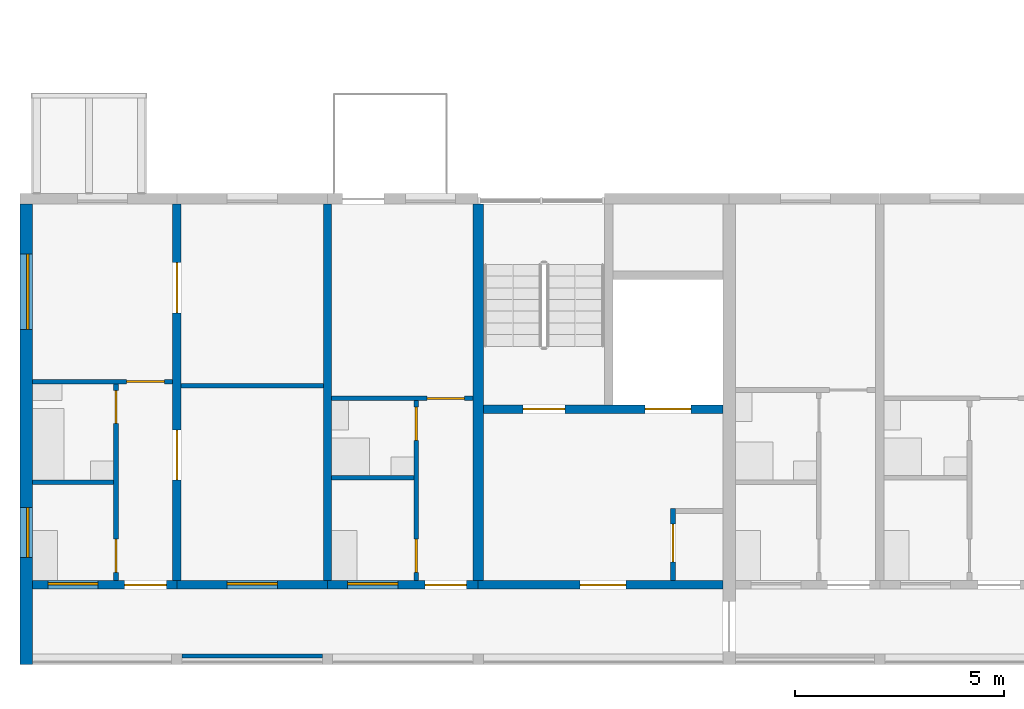
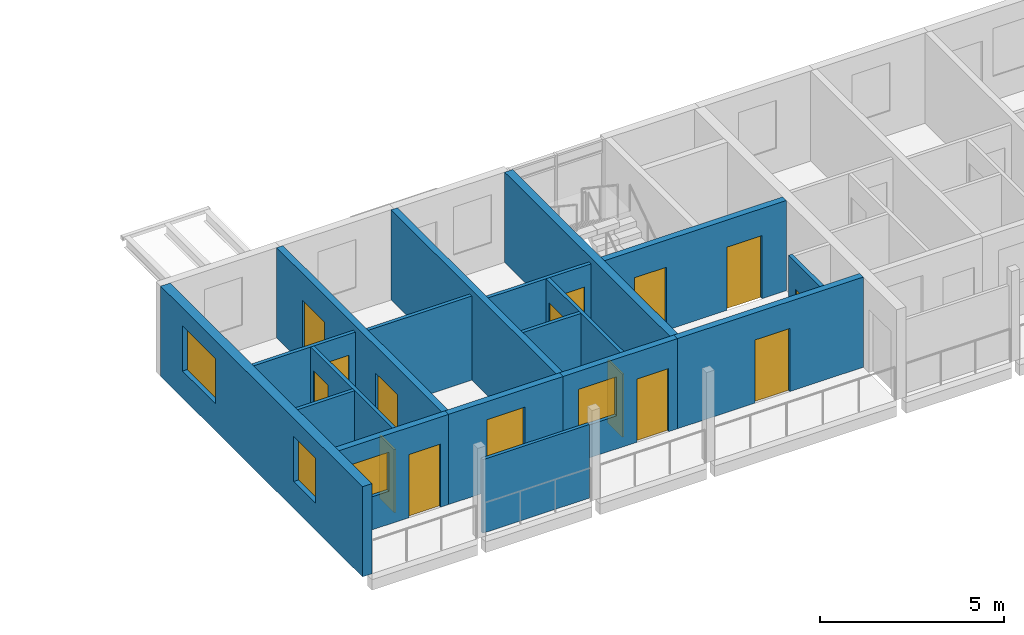
# One storey, part 29 of 94: 18 walls, 14 doors, 5 windows, 19 openings.
"""IFC4 building model written with IfcOpenShell, lengths in metres."""

from ifc_helpers import new_model, si_unit, direction, frame, frame_2d, origin, place, context, subcontext, project, spatial, rectangle, extrude, material, layer, layer_set, type_object, element, fill, save


model = new_model("IFC4")

# Units and contexts
model_context = context("Model", 3, precision=1e-05, world=origin(), true_north=direction((0.0, 1.0)))
body_context = subcontext(model_context, "Body", "Model", "MODEL_VIEW")
ifc_project = project(units=[si_unit("LENGTHUNIT", "METRE"), si_unit("AREAUNIT", "SQUARE_METRE"), si_unit("VOLUMEUNIT", "CUBIC_METRE"), si_unit("PLANEANGLEUNIT", "RADIAN"), si_unit("MASSUNIT", "GRAM", prefix="KILO")], contexts=[model_context])

# Site, building, storey
site_placement = place(None, origin())
site = spatial("IfcSite", under=ifc_project, at=site_placement, CompositionType="ELEMENT")
building_placement = place(site_placement, origin())
building = spatial("IfcBuilding", under=site, at=building_placement, Name="Ridgestep Commons", CompositionType="ELEMENT")
storey_placement = place(building_placement, frame((0.0, 0.0, 21.0)))
storey = spatial("IfcBuildingStorey", under=building, at=storey_placement, Name="L07", CompositionType="ELEMENT", Elevation=21.0)

# Wall
ifc_material_1 = material(Name="Concrete C30/37", Category="concrete")
ifc_layer_1 = layer(ifc_material_1, 0.25)
ifc_layer_set_1 = layer_set([ifc_layer_1], Name="Core cross wall 250")
wall_type_1 = type_object("IfcWallType", Name="Core cross wall 250", PredefinedType="SHEAR", material=ifc_layer_set_1)
wall_1_placement = place(storey_placement, frame((22.800048828125, 13.75, 0.0), z_axis=(0.0, 0.0, 1.0), x_axis=(0.0, 1.0, 0.0)))
element("IfcWall", 1, at=wall_1_placement, inside=storey, type_object=wall_type_1, Name="Cross wall A-07-0228", PredefinedType="SHEAR", context=body_context, shape_type="SweptSolid", body=[
    extrude(rectangle(XDim=9.0, YDim=0.25, at=frame_2d((4.5, 0.0))), origin(), (0.0, 0.0, 1.0), 3.0),
])

# Wall, opening, door
ifc_material_2 = material(Name="Concrete C30/37", Category="concrete")
ifc_layer_2 = layer(ifc_material_2, 0.199951171875)
ifc_layer_set_2 = layer_set([ifc_layer_2], Name="Core south wall 200")
wall_type_2 = type_object("IfcWallType", Name="Core south wall 200", PredefinedType="SHEAR", material=ifc_layer_set_2)
wall_2_placement = place(storey_placement, frame((22.800048828125, 13.64990234375, 0.0), z_axis=(0.0, 0.0, 1.0), x_axis=(1.0, 0.0, 0.0)))
wall_2 = element("IfcWall", 2, at=wall_2_placement, inside=storey, type_object=wall_type_2, Name="Core south wall A1C L07", PredefinedType="SHEAR", context=body_context, shape_type="SweptSolid", body=[
    extrude(rectangle(XDim=5.849853515625, YDim=0.199951171875, at=frame_2d((2.9248046875, 0.0))), origin(), (0.0, 0.0, 1.0), 3.0),
])
opening_1_placement = place(wall_2_placement, frame((2.4375, 0.0, 0.0)))
opening_1 = element("IfcOpeningElement", 3, at=opening_1_placement, cuts=wall_2, Name="Opening A1C/07/1", PredefinedType="OPENING", context=body_context, shape_type="SweptSolid", body=[
    extrude(rectangle(XDim=1.10009765625, YDim=2.10009765625, at=frame_2d((0.550048828125, 1.050048828125))), frame((0.0, 0.10986328125, 0.0), z_axis=(0.0, -1.0, 0.0), x_axis=(1.0, 0.0, 0.0)), (0.0, 0.0, 1.0), 0.219970703125),
])
ifc_material_3 = material(Name="Steel fire door", Category="steel")
door_type_1 = type_object("IfcDoorType", Name="Lobby door 1100 x 2100 FD60", OperationType="NOTDEFINED", PredefinedType="DOOR", material=ifc_material_3)
door_1_placement = place(opening_1_placement, origin())
door_1 = element("IfcDoor", 4, at=door_1_placement, inside=storey, type_object=door_type_1, Name="Lobby door A1C/07/1", OperationType="SINGLE_SWING_LEFT", OverallHeight=2.10009765625, OverallWidth=1.10009765625, PredefinedType="DOOR", context=body_context, shape_type="SweptSolid", body=[
    extrude(rectangle(XDim=1.10009765625, YDim=2.10009765625, at=frame_2d((0.550048828125, 1.050048828125))), frame((0.0, 0.02490234375, 0.0), z_axis=(0.0, -1.0, 0.0), x_axis=(1.0, 0.0, 0.0)), (0.0, 0.0, 1.0), 0.050048828125),
])
fill(opening_1, door_1)

ifc_material_4 = material(Name="Concrete C30/37", Category="concrete")
ifc_layer_3 = layer(ifc_material_4, 0.1201171875)
ifc_layer_set_3 = layer_set([ifc_layer_3], Name="Core wall 120")
wall_type_3 = type_object("IfcWallType", Name="Core wall 120", PredefinedType="SHEAR", material=ifc_layer_set_3)
wall_3_placement = place(storey_placement, frame((27.4599609375, 13.75, 0.0), z_axis=(0.0, 0.0, 1.0), x_axis=(0.0, 1.0, 0.0)))
wall_3 = element("IfcWall", 5, at=wall_3_placement, inside=storey, type_object=wall_type_3, Name="Core riser w wall A1C L07", PredefinedType="SHEAR", context=body_context, shape_type="SweptSolid", body=[
    extrude(rectangle(XDim=1.719970703125, YDim=0.1201171875, at=frame_2d((0.85986328125, 0.0))), origin(), (0.0, 0.0, 1.0), 3.0),
])
opening_2_placement = place(wall_3_placement, frame((0.449951171875, 0.0, 0.0)))
opening_2 = element("IfcOpeningElement", 6, at=opening_2_placement, cuts=wall_3, Name="Opening A1C/07/4", PredefinedType="OPENING", context=body_context, shape_type="SweptSolid", body=[
    extrude(rectangle(XDim=0.89990234375, YDim=2.10009765625, at=frame_2d((0.449951171875, 1.050048828125))), frame((0.0, 0.070068359375, 0.0), z_axis=(0.0, -1.0, 0.0), x_axis=(1.0, 0.0, 0.0)), (0.0, 0.0, 1.0), 0.14013671875),
])
ifc_material_5 = material(Name="Steel fire door", Category="steel")
door_type_2 = type_object("IfcDoorType", Name="Riser door 900 x 2100 FD60", OperationType="NOTDEFINED", PredefinedType="DOOR", material=ifc_material_5)
door_2_placement = place(opening_2_placement, origin())
door_2 = element("IfcDoor", 7, at=door_2_placement, inside=storey, type_object=door_type_2, Name="Riser door A1C/07/4", OperationType="SINGLE_SWING_LEFT", OverallHeight=2.10009765625, OverallWidth=0.89990234375, PredefinedType="DOOR", context=body_context, shape_type="SweptSolid", body=[
    extrude(rectangle(XDim=0.89990234375, YDim=2.10009765625, at=frame_2d((0.449951171875, 1.050048828125))), frame((0.0, 0.02490234375, 0.0), z_axis=(0.0, -1.0, 0.0), x_axis=(1.0, 0.0, 0.0)), (0.0, 0.0, 1.0), 0.050048828125),
])
fill(opening_2, door_2)

# Wall, openings, doors
ifc_material_6 = material(Name="Concrete C30/37", Category="concrete")
ifc_layer_4 = layer(ifc_material_6, 0.199951171875)
ifc_layer_set_4 = layer_set([ifc_layer_4], Name="Core wall 200")
wall_type_4 = type_object("IfcWallType", Name="Core wall 200", PredefinedType="SHEAR", material=ifc_layer_set_4)
wall_4_placement = place(storey_placement, frame((22.925048828125, 17.85009765625, 0.0), z_axis=(0.0, 0.0, 1.0), x_axis=(1.0, 0.0, 0.0)))
wall_4 = element("IfcWall", 8, at=wall_4_placement, inside=storey, type_object=wall_type_4, Name="Core lobby wall A1C L07", PredefinedType="SHEAR", context=body_context, shape_type="SweptSolid", body=[
    extrude(rectangle(XDim=5.724853515625, YDim=0.199951171875, at=frame_2d((2.8623046875, 0.0))), origin(), (0.0, 0.0, 1.0), 3.0),
])
opening_3_placement = place(wall_4_placement, frame((0.949951171875, 0.0, 0.0)))
opening_3 = element("IfcOpeningElement", 9, at=opening_3_placement, cuts=wall_4, Name="Opening A1C/07/2", PredefinedType="OPENING", context=body_context, shape_type="SweptSolid", body=[
    extrude(rectangle(XDim=1.0, YDim=2.10009765625, at=frame_2d((0.5, 1.050048828125))), frame((0.0, 0.10986328125, 0.0), z_axis=(0.0, -1.0, 0.0), x_axis=(1.0, 0.0, 0.0)), (0.0, 0.0, 1.0), 0.219970703125),
])
opening_4_placement = place(wall_4_placement, frame((3.862548828125, 0.0, 0.0)))
opening_4 = element("IfcOpeningElement", 10, at=opening_4_placement, cuts=wall_4, Name="Opening A1C/07/3", PredefinedType="OPENING", context=body_context, shape_type="SweptSolid", body=[
    extrude(rectangle(XDim=1.10009765625, YDim=2.10009765625, at=frame_2d((0.550048828125, 1.050048828125))), frame((0.0, 0.10986328125, 0.0), z_axis=(0.0, -1.0, 0.0), x_axis=(1.0, 0.0, 0.0)), (0.0, 0.0, 1.0), 0.219970703125),
])
ifc_material_7 = material(Name="Stainless steel", Category="steel")
door_type_3 = type_object("IfcDoorType", Name="Lift landing door 1100 x 2100 FD60", OperationType="DOUBLE_DOOR_SLIDING", PredefinedType="DOOR", material=ifc_material_7)
door_3_placement = place(opening_4_placement, origin())
door_3 = element("IfcDoor", 11, at=door_3_placement, inside=storey, type_object=door_type_3, Name="Landing door LD A1C L07", OperationType="DOUBLE_DOOR_SLIDING", OverallHeight=2.10009765625, OverallWidth=1.10009765625, PredefinedType="DOOR", context=body_context, shape_type="SweptSolid", body=[
    extrude(rectangle(XDim=1.10009765625, YDim=2.10009765625, at=frame_2d((0.550048828125, 1.050048828125))), frame((0.0, 0.02490234375, 0.0), z_axis=(0.0, -1.0, 0.0), x_axis=(1.0, 0.0, 0.0)), (0.0, 0.0, 1.0), 0.050048828125),
])
fill(opening_4, door_3)
ifc_material_8 = material(Name="Steel fire door", Category="steel")
door_type_4 = type_object("IfcDoorType", Name="Stair door 1000 x 2100 FD60", OperationType="NOTDEFINED", PredefinedType="DOOR", material=ifc_material_8)
door_4_placement = place(opening_3_placement, origin())
door_4 = element("IfcDoor", 12, at=door_4_placement, inside=storey, type_object=door_type_4, Name="Stair door A1C/07/2", OperationType="SINGLE_SWING_RIGHT", OverallHeight=2.10009765625, OverallWidth=1.0, PredefinedType="DOOR", context=body_context, shape_type="SweptSolid", body=[
    extrude(rectangle(XDim=1.0, YDim=2.10009765625, at=frame_2d((0.5, 1.050048828125))), frame((0.0, 0.02490234375, 0.0), z_axis=(0.0, -1.0, 0.0), x_axis=(1.0, 0.0, 0.0)), (0.0, 0.0, 1.0), 0.050048828125),
])
fill(opening_3, door_4)

ifc_material_9 = material(Name="Precast concrete C40/50", Category="concrete")
ifc_layer_5 = layer(ifc_material_9, 0.199951171875)
ifc_layer_set_5 = layer_set([ifc_layer_5], Name="Cross wall 200")
wall_type_5 = type_object("IfcWallType", Name="Cross wall 200", PredefinedType="SHEAR", material=ifc_layer_set_5)
wall_5_placement = place(storey_placement, frame((15.60009765625, 13.75, 0.0), z_axis=(0.0, 0.0, 1.0), x_axis=(0.0, 1.0, 0.0)))
wall_5 = element("IfcWall", 13, at=wall_5_placement, inside=storey, type_object=wall_type_5, Name="Cross wall A-07-0156", PredefinedType="SHEAR", context=body_context, shape_type="SweptSolid", body=[
    extrude(rectangle(XDim=9.0, YDim=0.199951171875, at=frame_2d((4.5, 0.0))), origin(), (0.0, 0.0, 1.0), 3.0),
])
opening_5_placement = place(wall_5_placement, frame((2.39990234375, 0.0, 0.0)))
opening_5 = element("IfcOpeningElement", 14, at=opening_5_placement, cuts=wall_5, Name="Opening A1-07a/5", PredefinedType="OPENING", context=body_context, shape_type="SweptSolid", body=[
    extrude(rectangle(XDim=1.199951171875, YDim=2.10009765625, at=frame_2d((0.60009765625, 1.050048828125))), frame((0.0, 0.10986328125, 0.0), z_axis=(0.0, -1.0, 0.0), x_axis=(1.0, 0.0, 0.0)), (0.0, 0.0, 1.0), 0.219970703125),
])
opening_6_placement = place(wall_5_placement, frame((6.39990234375, 0.0, 0.0)))
opening_6 = element("IfcOpeningElement", 15, at=opening_6_placement, cuts=wall_5, Name="Opening A1-07a/6", PredefinedType="OPENING", context=body_context, shape_type="SweptSolid", body=[
    extrude(rectangle(XDim=1.199951171875, YDim=2.10009765625, at=frame_2d((0.60009765625, 1.050048828125))), frame((0.0, 0.10986328125, 0.0), z_axis=(0.0, -1.0, 0.0), x_axis=(1.0, 0.0, 0.0)), (0.0, 0.0, 1.0), 0.219970703125),
])
ifc_material_10 = material(Name="Timber door leaf", Category="wood")
door_type_5 = type_object("IfcDoorType", Name="Double door 1200 x 2100", OperationType="DOUBLE_DOOR_SINGLE_SWING", PredefinedType="DOOR", material=ifc_material_10)
door_5_placement = place(opening_5_placement, origin())
door_5 = element("IfcDoor", 16, at=door_5_placement, inside=storey, type_object=door_type_5, Name="Double door A1-07a/5", OperationType="DOUBLE_DOOR_SINGLE_SWING", OverallHeight=2.10009765625, OverallWidth=1.199951171875, PredefinedType="DOOR", context=body_context, shape_type="SweptSolid", body=[
    extrude(rectangle(XDim=1.199951171875, YDim=2.10009765625, at=frame_2d((0.60009765625, 1.050048828125))), frame((0.0, 0.02490234375, 0.0), z_axis=(0.0, -1.0, 0.0), x_axis=(1.0, 0.0, 0.0)), (0.0, 0.0, 1.0), 0.050048828125),
])
fill(opening_5, door_5)
door_6_placement = place(opening_6_placement, origin())
door_6 = element("IfcDoor", 17, at=door_6_placement, inside=storey, type_object=door_type_5, Name="Double door A1-07a/6", OperationType="DOUBLE_DOOR_SINGLE_SWING", OverallHeight=2.10009765625, OverallWidth=1.199951171875, PredefinedType="DOOR", context=body_context, shape_type="SweptSolid", body=[
    extrude(rectangle(XDim=1.199951171875, YDim=2.10009765625, at=frame_2d((0.60009765625, 1.050048828125))), frame((0.0, 0.02490234375, 0.0), z_axis=(0.0, -1.0, 0.0), x_axis=(1.0, 0.0, 0.0)), (0.0, 0.0, 1.0), 0.050048828125),
])
fill(opening_6, door_6)

# Wall
wall_6_placement = place(storey_placement, frame((19.199951171875, 13.75, 0.0), z_axis=(0.0, 0.0, 1.0), x_axis=(0.0, 1.0, 0.0)))
element("IfcWall", 18, at=wall_6_placement, inside=storey, type_object=wall_type_5, Name="Cross wall A-07-0192", PredefinedType="SHEAR", context=body_context, shape_type="SweptSolid", body=[
    extrude(rectangle(XDim=9.0, YDim=0.199951171875, at=frame_2d((4.5, 0.0))), origin(), (0.0, 0.0, 1.0), 3.0),
])

# Wall, openings, windows
ifc_material_11 = material(Name="Precast concrete C40/50", Category="concrete")
ifc_layer_6 = layer(ifc_material_11, 0.300048828125)
ifc_layer_set_6 = layer_set([ifc_layer_6], Name="Exposed division wall 300")
wall_type_6 = type_object("IfcWallType", Name="Exposed division wall 300", PredefinedType="SHEAR", material=ifc_layer_set_6)
wall_7_placement = place(storey_placement, frame((12.0, 11.75, 0.0), z_axis=(0.0, 0.0, 1.0), x_axis=(0.0, 1.0, 0.0)))
wall_7 = element("IfcWall", 19, at=wall_7_placement, inside=storey, type_object=wall_type_6, Name="Cross wall A-07-0120", PredefinedType="SHEAR", context=body_context, shape_type="SweptSolid", body=[
    extrude(rectangle(XDim=11.0, YDim=0.300048828125, at=frame_2d((5.5, 0.0))), origin(), (0.0, 0.0, 1.0), 3.0),
])
opening_7_placement = place(wall_7_placement, frame((2.550048828125, 0.0, 0.89990234375)))
opening_7 = element("IfcOpeningElement", 20, at=opening_7_placement, cuts=wall_7, Name="Opening W10", PredefinedType="OPENING", context=body_context, shape_type="SweptSolid", body=[
    extrude(rectangle(XDim=1.199951171875, YDim=1.5, at=frame_2d((0.60009765625, 0.75))), frame((0.0, 0.159912109375, 0.0), z_axis=(0.0, -1.0, 0.0), x_axis=(1.0, 0.0, 0.0)), (0.0, 0.0, 1.0), 0.320068359375),
])
opening_8_placement = place(wall_7_placement, frame((8.0048828125, 0.0, 0.89990234375)))
opening_8 = element("IfcOpeningElement", 21, at=opening_8_placement, cuts=wall_7, Name="Opening W20", PredefinedType="OPENING", context=body_context, shape_type="SweptSolid", body=[
    extrude(rectangle(XDim=1.800048828125, YDim=1.5, at=frame_2d((0.89990234375, 0.75))), frame((0.0, 0.159912109375, 0.0), z_axis=(0.0, -1.0, 0.0), x_axis=(1.0, 0.0, 0.0)), (0.0, 0.0, 1.0), 0.320068359375),
])
ifc_material_12 = material(Name="Aluminium 6063-T6 and glass", Category="aluminium")
window_type_1 = type_object("IfcWindowType", Name="Flat window 1200 x 1500", PartitioningType="SINGLE_PANEL", PredefinedType="WINDOW", material=ifc_material_12)
window_1_placement = place(opening_7_placement, origin())
window_1 = element("IfcWindow", 22, at=window_1_placement, inside=storey, type_object=window_type_1, Name="Window A1-07a 5", OverallHeight=1.5, OverallWidth=1.199951171875, PartitioningType="SINGLE_PANEL", PredefinedType="WINDOW", context=body_context, shape_type="SweptSolid", body=[
    extrude(rectangle(XDim=1.199951171875, YDim=1.5, at=frame_2d((0.60009765625, 0.75))), frame((0.0, 0.0, 0.0), z_axis=(0.0, -1.0, 0.0), x_axis=(1.0, 0.0, 0.0)), (0.0, 0.0, 1.0), 0.06005859375),
])
fill(opening_7, window_1)
ifc_material_13 = material(Name="Aluminium 6063-T6 and glass", Category="aluminium")
window_type_2 = type_object("IfcWindowType", Name="Flat window 1800 x 1500", PartitioningType="DOUBLE_PANEL_VERTICAL", PredefinedType="WINDOW", material=ifc_material_13)
window_2_placement = place(opening_8_placement, origin())
window_2 = element("IfcWindow", 23, at=window_2_placement, inside=storey, type_object=window_type_2, Name="Window A1-07a 6", OverallHeight=1.5, OverallWidth=1.800048828125, PartitioningType="SINGLE_PANEL", PredefinedType="WINDOW", context=body_context, shape_type="SweptSolid", body=[
    extrude(rectangle(XDim=1.800048828125, YDim=1.5, at=frame_2d((0.89990234375, 0.75))), frame((0.0, 0.0, 0.0), z_axis=(0.0, -1.0, 0.0), x_axis=(1.0, 0.0, 0.0)), (0.0, 0.0, 1.0), 0.06005859375),
])
fill(opening_8, window_2)

# Wall
ifc_material_14 = material(Name="Common brick 110 mm", Category="masonry")
ifc_layer_7 = layer(ifc_material_14, 0.110107421875)
ifc_layer_set_7 = layer_set([ifc_layer_7], Name="Partition 110")
wall_type_7 = type_object("IfcWallType", Name="Partition 110", PredefinedType="PARTITIONING", material=ifc_layer_set_7)
wall_8_placement = place(storey_placement, frame((12.14990234375, 16.10498046875, 0.0), z_axis=(0.0, 0.0, 1.0), x_axis=(1.0, 0.0, 0.0)))
element("IfcWall", 24, at=wall_8_placement, inside=storey, type_object=wall_type_7, Name="Partition A1-07a", PredefinedType="PARTITIONING", context=body_context, shape_type="SweptSolid", body=[
    extrude(rectangle(XDim=1.940185546875, YDim=0.110107421875, at=frame_2d((0.97021484375, 0.0))), origin(), (0.0, 0.0, 1.0), 2.800048828125),
])

# Wall, openings, doors
wall_9_placement = place(storey_placement, frame((14.14501953125, 13.75, 0.0), z_axis=(0.0, 0.0, 1.0), x_axis=(0.0, 1.0, 0.0)))
wall_9 = element("IfcWall", 25, at=wall_9_placement, inside=storey, type_object=wall_type_7, Name="Partition A1-07a", PredefinedType="PARTITIONING", context=body_context, shape_type="SweptSolid", body=[
    extrude(rectangle(XDim=4.699951171875, YDim=0.110107421875, at=frame_2d((2.35009765625, 0.0))), origin(), (0.0, 0.0, 1.0), 2.800048828125),
])
opening_9_placement = place(wall_9_placement, frame((0.199951171875, 0.0, 0.0)))
opening_9 = element("IfcOpeningElement", 26, at=opening_9_placement, cuts=wall_9, Name="Opening A1-07a/2", PredefinedType="OPENING", context=body_context, shape_type="SweptSolid", body=[
    extrude(rectangle(XDim=0.800048828125, YDim=2.10009765625, at=frame_2d((0.39990234375, 1.050048828125))), frame((0.0, 0.06494140625, 0.0), z_axis=(0.0, -1.0, 0.0), x_axis=(1.0, 0.0, 0.0)), (0.0, 0.0, 1.0), 0.130126953125),
])
opening_10_placement = place(wall_9_placement, frame((3.75, 0.0, 0.0)))
opening_10 = element("IfcOpeningElement", 27, at=opening_10_placement, cuts=wall_9, Name="Opening A1-07a/3", PredefinedType="OPENING", context=body_context, shape_type="SweptSolid", body=[
    extrude(rectangle(XDim=0.800048828125, YDim=2.10009765625, at=frame_2d((0.39990234375, 1.050048828125))), frame((0.0, 0.06494140625, 0.0), z_axis=(0.0, -1.0, 0.0), x_axis=(1.0, 0.0, 0.0)), (0.0, 0.0, 1.0), 0.130126953125),
])
ifc_material_15 = material(Name="Timber door leaf", Category="wood")
door_type_6 = type_object("IfcDoorType", Name="Internal door 800 x 2100", OperationType="NOTDEFINED", PredefinedType="DOOR", material=ifc_material_15)
door_7_placement = place(opening_9_placement, origin())
door_7 = element("IfcDoor", 28, at=door_7_placement, inside=storey, type_object=door_type_6, Name="Internal door A1-07a/2", OperationType="SINGLE_SWING_LEFT", OverallHeight=2.10009765625, OverallWidth=0.800048828125, PredefinedType="DOOR", context=body_context, shape_type="SweptSolid", body=[
    extrude(rectangle(XDim=0.800048828125, YDim=2.10009765625, at=frame_2d((0.39990234375, 1.050048828125))), frame((0.0, 0.02490234375, 0.0), z_axis=(0.0, -1.0, 0.0), x_axis=(1.0, 0.0, 0.0)), (0.0, 0.0, 1.0), 0.050048828125),
])
fill(opening_9, door_7)
door_8_placement = place(opening_10_placement, origin())
door_8 = element("IfcDoor", 29, at=door_8_placement, inside=storey, type_object=door_type_6, Name="Internal door A1-07a/3", OperationType="SINGLE_SWING_RIGHT", OverallHeight=2.10009765625, OverallWidth=0.800048828125, PredefinedType="DOOR", context=body_context, shape_type="SweptSolid", body=[
    extrude(rectangle(XDim=0.800048828125, YDim=2.10009765625, at=frame_2d((0.39990234375, 1.050048828125))), frame((0.0, 0.02490234375, 0.0), z_axis=(0.0, -1.0, 0.0), x_axis=(1.0, 0.0, 0.0)), (0.0, 0.0, 1.0), 0.050048828125),
])
fill(opening_10, door_8)

# Wall, opening, door
wall_10_placement = place(storey_placement, frame((12.14990234375, 18.5048828125, 0.0), z_axis=(0.0, 0.0, 1.0), x_axis=(1.0, 0.0, 0.0)))
wall_10 = element("IfcWall", 30, at=wall_10_placement, inside=storey, type_object=wall_type_7, Name="Partition A1-07a", PredefinedType="PARTITIONING", context=body_context, shape_type="SweptSolid", body=[
    extrude(rectangle(XDim=3.35009765625, YDim=0.110107421875, at=frame_2d((1.675048828125, 0.0))), origin(), (0.0, 0.0, 1.0), 2.800048828125),
])
opening_11_placement = place(wall_10_placement, frame((2.25, 0.0, 0.0)))
opening_11 = element("IfcOpeningElement", 31, at=opening_11_placement, cuts=wall_10, Name="Opening A1-07a/4", PredefinedType="OPENING", context=body_context, shape_type="SweptSolid", body=[
    extrude(rectangle(XDim=0.89990234375, YDim=2.10009765625, at=frame_2d((0.449951171875, 1.050048828125))), frame((0.0, 0.06494140625, 0.0), z_axis=(0.0, -1.0, 0.0), x_axis=(1.0, 0.0, 0.0)), (0.0, 0.0, 1.0), 0.130126953125),
])
ifc_material_16 = material(Name="Timber door leaf", Category="wood")
door_type_7 = type_object("IfcDoorType", Name="Internal door 900 x 2100", OperationType="NOTDEFINED", PredefinedType="DOOR", material=ifc_material_16)
door_9_placement = place(opening_11_placement, origin())
door_9 = element("IfcDoor", 32, at=door_9_placement, inside=storey, type_object=door_type_7, Name="Internal door A1-07a/4", OperationType="SINGLE_SWING_LEFT", OverallHeight=2.10009765625, OverallWidth=0.89990234375, PredefinedType="DOOR", context=body_context, shape_type="SweptSolid", body=[
    extrude(rectangle(XDim=0.89990234375, YDim=2.10009765625, at=frame_2d((0.449951171875, 1.050048828125))), frame((0.0, 0.02490234375, 0.0), z_axis=(0.0, -1.0, 0.0), x_axis=(1.0, 0.0, 0.0)), (0.0, 0.0, 1.0), 0.050048828125),
])
fill(opening_11, door_9)

# Walls
wall_11_placement = place(storey_placement, frame((15.699951171875, 18.405029296875, 0.0), z_axis=(0.0, 0.0, 1.0), x_axis=(1.0, 0.0, 0.0)))
element("IfcWall", 33, at=wall_11_placement, inside=storey, type_object=wall_type_7, Name="Partition A1-07a", PredefinedType="PARTITIONING", context=body_context, shape_type="SweptSolid", body=[
    extrude(rectangle(XDim=3.400146484375, YDim=0.110107421875, at=frame_2d((1.7001953125, 0.0))), origin(), (0.0, 0.0, 1.0), 2.800048828125),
])
wall_12_placement = place(storey_placement, frame((19.300048828125, 16.205078125, 0.0), z_axis=(0.0, 0.0, 1.0), x_axis=(1.0, 0.0, 0.0)))
element("IfcWall", 34, at=wall_12_placement, inside=storey, type_object=wall_type_7, Name="Partition A1-07b", PredefinedType="PARTITIONING", context=body_context, shape_type="SweptSolid", body=[
    extrude(rectangle(XDim=1.96484375, YDim=0.110107421875, at=frame_2d((0.982421875, 0.0))), origin(), (0.0, 0.0, 1.0), 2.800048828125),
])

# Wall, openings, doors
wall_13_placement = place(storey_placement, frame((21.320068359375, 13.75, 0.0), z_axis=(0.0, 0.0, 1.0), x_axis=(0.0, 1.0, 0.0)))
wall_13 = element("IfcWall", 35, at=wall_13_placement, inside=storey, type_object=wall_type_7, Name="Partition A1-07b", PredefinedType="PARTITIONING", context=body_context, shape_type="SweptSolid", body=[
    extrude(rectangle(XDim=4.300048828125, YDim=0.110107421875, at=frame_2d((2.14990234375, 0.0))), origin(), (0.0, 0.0, 1.0), 2.800048828125),
])
opening_12_placement = place(wall_13_placement, frame((0.199951171875, 0.0, 0.0)))
opening_12 = element("IfcOpeningElement", 36, at=opening_12_placement, cuts=wall_13, Name="Opening A1-07b/2", PredefinedType="OPENING", context=body_context, shape_type="SweptSolid", body=[
    extrude(rectangle(XDim=0.800048828125, YDim=2.10009765625, at=frame_2d((0.39990234375, 1.050048828125))), frame((0.0, 0.06494140625, 0.0), z_axis=(0.0, -1.0, 0.0), x_axis=(1.0, 0.0, 0.0)), (0.0, 0.0, 1.0), 0.130126953125),
])
opening_13_placement = place(wall_13_placement, frame((3.35009765625, 0.0, 0.0)))
opening_13 = element("IfcOpeningElement", 37, at=opening_13_placement, cuts=wall_13, Name="Opening A1-07b/3", PredefinedType="OPENING", context=body_context, shape_type="SweptSolid", body=[
    extrude(rectangle(XDim=0.800048828125, YDim=2.10009765625, at=frame_2d((0.39990234375, 1.050048828125))), frame((0.0, 0.06494140625, 0.0), z_axis=(0.0, -1.0, 0.0), x_axis=(1.0, 0.0, 0.0)), (0.0, 0.0, 1.0), 0.130126953125),
])
door_10_placement = place(opening_12_placement, origin())
door_10 = element("IfcDoor", 38, at=door_10_placement, inside=storey, type_object=door_type_6, Name="Internal door A1-07b/2", OperationType="SINGLE_SWING_LEFT", OverallHeight=2.10009765625, OverallWidth=0.800048828125, PredefinedType="DOOR", context=body_context, shape_type="SweptSolid", body=[
    extrude(rectangle(XDim=0.800048828125, YDim=2.10009765625, at=frame_2d((0.39990234375, 1.050048828125))), frame((0.0, 0.02490234375, 0.0), z_axis=(0.0, -1.0, 0.0), x_axis=(1.0, 0.0, 0.0)), (0.0, 0.0, 1.0), 0.050048828125),
])
fill(opening_12, door_10)
door_11_placement = place(opening_13_placement, origin())
door_11 = element("IfcDoor", 39, at=door_11_placement, inside=storey, type_object=door_type_6, Name="Internal door A1-07b/3", OperationType="SINGLE_SWING_RIGHT", OverallHeight=2.10009765625, OverallWidth=0.800048828125, PredefinedType="DOOR", context=body_context, shape_type="SweptSolid", body=[
    extrude(rectangle(XDim=0.800048828125, YDim=2.10009765625, at=frame_2d((0.39990234375, 1.050048828125))), frame((0.0, 0.02490234375, 0.0), z_axis=(0.0, -1.0, 0.0), x_axis=(1.0, 0.0, 0.0)), (0.0, 0.0, 1.0), 0.050048828125),
])
fill(opening_13, door_11)

# Wall, opening, door
wall_14_placement = place(storey_placement, frame((19.300048828125, 18.10498046875, 0.0), z_axis=(0.0, 0.0, 1.0), x_axis=(1.0, 0.0, 0.0)))
wall_14 = element("IfcWall", 40, at=wall_14_placement, inside=storey, type_object=wall_type_7, Name="Partition A1-07b", PredefinedType="PARTITIONING", context=body_context, shape_type="SweptSolid", body=[
    extrude(rectangle(XDim=3.375, YDim=0.110107421875, at=frame_2d((1.6875, 0.0))), origin(), (0.0, 0.0, 1.0), 2.800048828125),
])
opening_14_placement = place(wall_14_placement, frame((2.27490234375, 0.0, 0.0)))
opening_14 = element("IfcOpeningElement", 41, at=opening_14_placement, cuts=wall_14, Name="Opening A1-07b/4", PredefinedType="OPENING", context=body_context, shape_type="SweptSolid", body=[
    extrude(rectangle(XDim=0.89990234375, YDim=2.10009765625, at=frame_2d((0.449951171875, 1.050048828125))), frame((0.0, 0.06494140625, 0.0), z_axis=(0.0, -1.0, 0.0), x_axis=(1.0, 0.0, 0.0)), (0.0, 0.0, 1.0), 0.130126953125),
])
door_12_placement = place(opening_14_placement, origin())
door_12 = element("IfcDoor", 42, at=door_12_placement, inside=storey, type_object=door_type_7, Name="Internal door A1-07b/4", OperationType="SINGLE_SWING_LEFT", OverallHeight=2.10009765625, OverallWidth=0.89990234375, PredefinedType="DOOR", context=body_context, shape_type="SweptSolid", body=[
    extrude(rectangle(XDim=0.89990234375, YDim=2.10009765625, at=frame_2d((0.449951171875, 1.050048828125))), frame((0.0, 0.02490234375, 0.0), z_axis=(0.0, -1.0, 0.0), x_axis=(1.0, 0.0, 0.0)), (0.0, 0.0, 1.0), 0.050048828125),
])
fill(opening_14, door_12)

# Wall
ifc_material_17 = material(Name="Precast concrete C30/37", Category="concrete")
ifc_layer_8 = layer(ifc_material_17, 0.10009765625)
ifc_layer_set_8 = layer_set([ifc_layer_8], Name="Perforated gallery screen 3350 x 2450 x 100")
wall_type_8 = type_object("IfcWallType", Name="Perforated gallery screen 3350 x 2450 x 100", PredefinedType="SOLIDWALL", material=ifc_layer_set_8)
wall_15_placement = place(storey_placement, frame((15.72509765625, 11.949951171875, 0.0), z_axis=(0.0, 0.0, 1.0), x_axis=(1.0, 0.0, 0.0)))
element("IfcWall", 43, at=wall_15_placement, inside=storey, type_object=wall_type_8, Name="Gallery screen A1T2 07", PredefinedType="SOLIDWALL", context=body_context, shape_type="SweptSolid", body=[
    extrude(rectangle(XDim=3.349853515625, YDim=0.10009765625, at=frame_2d((1.6748046875, 0.0))), origin(), (0.0, 0.0, 1.0), 2.449951171875),
])

# Wall, openings, door, window
ifc_material_18 = material(Name="Precast concrete C40/50", Category="concrete")
ifc_layer_9 = layer(ifc_material_18, 0.199951171875)
ifc_layer_set_9 = layer_set([ifc_layer_9], Name="South facade panel 200")
wall_type_9 = type_object("IfcWallType", Name="South facade panel 200", PredefinedType="SOLIDWALL", material=ifc_layer_set_9)
wall_16_placement = place(storey_placement, frame((12.14990234375, 13.64990234375, 0.0), z_axis=(0.0, 0.0, 1.0), x_axis=(1.0, 0.0, 0.0)))
wall_16 = element("IfcWall", 44, at=wall_16_placement, inside=storey, type_object=wall_type_9, Name="South panel A1T1 L07", PredefinedType="SOLIDWALL", context=body_context, shape_type="SweptSolid", body=[
    extrude(rectangle(XDim=3.4501953125, YDim=0.199951171875, at=frame_2d((1.72509765625, 0.0))), origin(), (0.0, 0.0, 1.0), 3.0),
])
opening_15_placement = place(wall_16_placement, frame((0.3701171875, 0.0, 1.10009765625)))
opening_15 = element("IfcOpeningElement", 45, at=opening_15_placement, cuts=wall_16, Name="Opening W08", PredefinedType="OPENING", context=body_context, shape_type="SweptSolid", body=[
    extrude(rectangle(XDim=1.199951171875, YDim=1.300048828125, at=frame_2d((0.60009765625, 0.64990234375))), frame((0.0, 0.10986328125, 0.0), z_axis=(0.0, -1.0, 0.0), x_axis=(1.0, 0.0, 0.0)), (0.0, 0.0, 1.0), 0.219970703125),
])
opening_16_placement = place(wall_16_placement, frame((2.199951171875, 0.0, 0.0)))
opening_16 = element("IfcOpeningElement", 46, at=opening_16_placement, cuts=wall_16, Name="Opening A1-07a/1", PredefinedType="OPENING", context=body_context, shape_type="SweptSolid", body=[
    extrude(rectangle(XDim=1.0, YDim=2.10009765625, at=frame_2d((0.5, 1.050048828125))), frame((0.0, 0.10986328125, 0.0), z_axis=(0.0, -1.0, 0.0), x_axis=(1.0, 0.0, 0.0)), (0.0, 0.0, 1.0), 0.219970703125),
])
ifc_material_19 = material(Name="Timber door leaf", Category="wood")
door_type_8 = type_object("IfcDoorType", Name="Flat entrance door 1000 x 2100 FD30S", OperationType="NOTDEFINED", PredefinedType="DOOR", material=ifc_material_19)
door_13_placement = place(opening_16_placement, origin())
door_13 = element("IfcDoor", 47, at=door_13_placement, inside=storey, type_object=door_type_8, Name="Flat entrance door A1-07a/1", OperationType="SINGLE_SWING_RIGHT", OverallHeight=2.10009765625, OverallWidth=1.0, PredefinedType="DOOR", context=body_context, shape_type="SweptSolid", body=[
    extrude(rectangle(XDim=1.0, YDim=2.10009765625, at=frame_2d((0.5, 1.050048828125))), frame((0.0, 0.02490234375, 0.0), z_axis=(0.0, -1.0, 0.0), x_axis=(1.0, 0.0, 0.0)), (0.0, 0.0, 1.0), 0.050048828125),
])
fill(opening_16, door_13)
ifc_material_20 = material(Name="Aluminium 6063-T6 and glass", Category="aluminium")
window_type_3 = type_object("IfcWindowType", Name="Flat window 1200 x 1300", PartitioningType="SINGLE_PANEL", PredefinedType="WINDOW", material=ifc_material_20)
window_3_placement = place(opening_15_placement, origin())
window_3 = element("IfcWindow", 48, at=window_3_placement, inside=storey, type_object=window_type_3, Name="Window A1-07a 3", OverallHeight=1.300048828125, OverallWidth=1.199951171875, PartitioningType="SINGLE_PANEL", PredefinedType="WINDOW", context=body_context, shape_type="SweptSolid", body=[
    extrude(rectangle(XDim=1.199951171875, YDim=1.300048828125, at=frame_2d((0.60009765625, 0.64990234375))), frame((0.0, 0.06005859375, 0.0), z_axis=(0.0, -1.0, 0.0), x_axis=(1.0, 0.0, 0.0)), (0.0, 0.0, 1.0), 0.06005859375),
])
fill(opening_15, window_3)

# Wall, opening, window
wall_17_placement = place(storey_placement, frame((15.60009765625, 13.64990234375, 0.0), z_axis=(0.0, 0.0, 1.0), x_axis=(1.0, 0.0, 0.0)))
wall_17 = element("IfcWall", 49, at=wall_17_placement, inside=storey, type_object=wall_type_9, Name="South panel A1T2 L07", PredefinedType="SOLIDWALL", context=body_context, shape_type="SweptSolid", body=[
    extrude(rectangle(XDim=3.599853515625, YDim=0.199951171875, at=frame_2d((1.7998046875, 0.0))), origin(), (0.0, 0.0, 1.0), 3.0),
])
opening_17_placement = place(wall_17_placement, frame((1.199951171875, 0.0, 0.800048828125)))
opening_17 = element("IfcOpeningElement", 50, at=opening_17_placement, cuts=wall_17, Name="Opening W11", PredefinedType="OPENING", context=body_context, shape_type="SweptSolid", body=[
    extrude(rectangle(XDim=1.199951171875, YDim=1.60009765625, at=frame_2d((0.60009765625, 0.800048828125))), frame((0.0, 0.10986328125, 0.0), z_axis=(0.0, -1.0, 0.0), x_axis=(1.0, 0.0, 0.0)), (0.0, 0.0, 1.0), 0.219970703125),
])
ifc_material_21 = material(Name="Aluminium 6063-T6 and glass", Category="aluminium")
window_type_4 = type_object("IfcWindowType", Name="Flat window 1200 x 1600", PartitioningType="SINGLE_PANEL", PredefinedType="WINDOW", material=ifc_material_21)
window_4_placement = place(opening_17_placement, origin())
window_4 = element("IfcWindow", 51, at=window_4_placement, inside=storey, type_object=window_type_4, Name="Window A1-07a 1", OverallHeight=1.60009765625, OverallWidth=1.199951171875, PartitioningType="SINGLE_PANEL", PredefinedType="WINDOW", context=body_context, shape_type="SweptSolid", body=[
    extrude(rectangle(XDim=1.199951171875, YDim=1.60009765625, at=frame_2d((0.60009765625, 0.800048828125))), frame((0.0, 0.06005859375, 0.0), z_axis=(0.0, -1.0, 0.0), x_axis=(1.0, 0.0, 0.0)), (0.0, 0.0, 1.0), 0.06005859375),
])
fill(opening_17, window_4)

# Wall, openings, door, window
wall_18_placement = place(storey_placement, frame((19.199951171875, 13.64990234375, 0.0), z_axis=(0.0, 0.0, 1.0), x_axis=(1.0, 0.0, 0.0)))
wall_18 = element("IfcWall", 52, at=wall_18_placement, inside=storey, type_object=wall_type_9, Name="South panel A1T3 L07", PredefinedType="SOLIDWALL", context=body_context, shape_type="SweptSolid", body=[
    extrude(rectangle(XDim=3.60009765625, YDim=0.199951171875, at=frame_2d((1.800048828125, 0.0))), origin(), (0.0, 0.0, 1.0), 3.0),
])
opening_18_placement = place(wall_18_placement, frame((0.482421875, 0.0, 1.10009765625)))
opening_18 = element("IfcOpeningElement", 53, at=opening_18_placement, cuts=wall_18, Name="Opening W08", PredefinedType="OPENING", context=body_context, shape_type="SweptSolid", body=[
    extrude(rectangle(XDim=1.199951171875, YDim=1.300048828125, at=frame_2d((0.60009765625, 0.64990234375))), frame((0.0, 0.10986328125, 0.0), z_axis=(0.0, -1.0, 0.0), x_axis=(1.0, 0.0, 0.0)), (0.0, 0.0, 1.0), 0.219970703125),
])
opening_19_placement = place(wall_18_placement, frame((2.324951171875, 0.0, 0.0)))
opening_19 = element("IfcOpeningElement", 54, at=opening_19_placement, cuts=wall_18, Name="Opening A1-07b/1", PredefinedType="OPENING", context=body_context, shape_type="SweptSolid", body=[
    extrude(rectangle(XDim=1.0, YDim=2.10009765625, at=frame_2d((0.5, 1.050048828125))), frame((0.0, 0.10986328125, 0.0), z_axis=(0.0, -1.0, 0.0), x_axis=(1.0, 0.0, 0.0)), (0.0, 0.0, 1.0), 0.219970703125),
])
door_14_placement = place(opening_19_placement, origin())
door_14 = element("IfcDoor", 55, at=door_14_placement, inside=storey, type_object=door_type_8, Name="Flat entrance door A1-07b/1", OperationType="SINGLE_SWING_RIGHT", OverallHeight=2.10009765625, OverallWidth=1.0, PredefinedType="DOOR", context=body_context, shape_type="SweptSolid", body=[
    extrude(rectangle(XDim=1.0, YDim=2.10009765625, at=frame_2d((0.5, 1.050048828125))), frame((0.0, 0.02490234375, 0.0), z_axis=(0.0, -1.0, 0.0), x_axis=(1.0, 0.0, 0.0)), (0.0, 0.0, 1.0), 0.050048828125),
])
fill(opening_19, door_14)
window_5_placement = place(opening_18_placement, origin())
window_5 = element("IfcWindow", 56, at=window_5_placement, inside=storey, type_object=window_type_3, Name="Window A1-07b 1", OverallHeight=1.300048828125, OverallWidth=1.199951171875, PartitioningType="SINGLE_PANEL", PredefinedType="WINDOW", context=body_context, shape_type="SweptSolid", body=[
    extrude(rectangle(XDim=1.199951171875, YDim=1.300048828125, at=frame_2d((0.60009765625, 0.64990234375))), frame((0.0, 0.06005859375, 0.0), z_axis=(0.0, -1.0, 0.0), x_axis=(1.0, 0.0, 0.0)), (0.0, 0.0, 1.0), 0.06005859375),
])
fill(opening_18, window_5)

save(model, "model.ifc")
